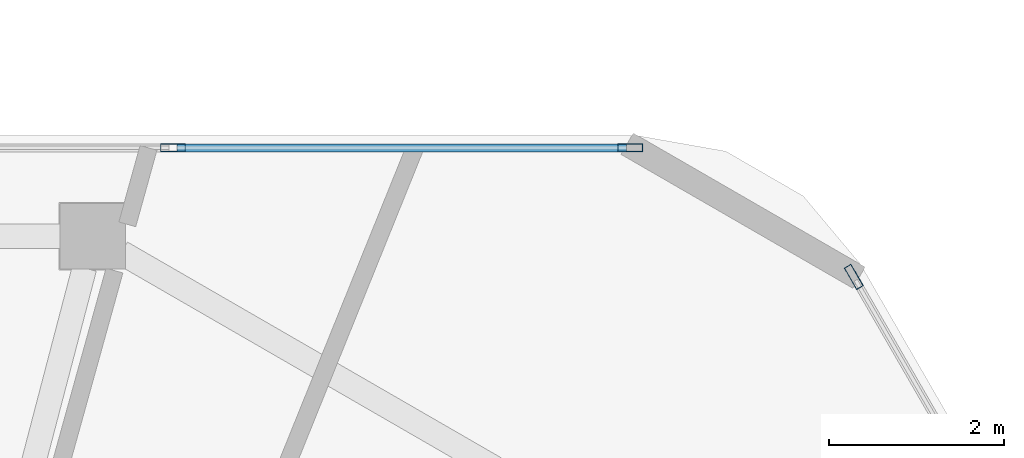
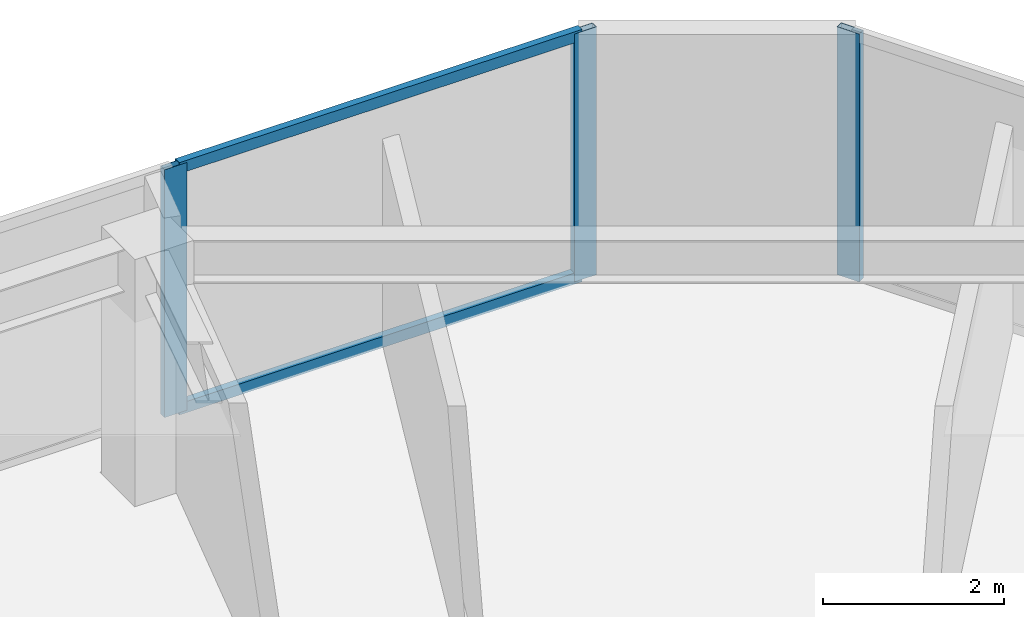
# One storey, part 14 of 22: 5 members, 2 elements without a shape of their own.
"""IFC4 building model written with IfcOpenShell, lengths in metres."""

from ifc_helpers import new_model, si_unit, direction, frame, origin, origin_2d, place, context, subcontext, project, spatial, hollow_rectangle, extrude, material, material_profile, profile_set, type_object, element, aggregate, save


model = new_model("IFC4")

# Units and contexts
model_context = context("Model", 3, precision=1e-05, world=origin(), true_north=direction((0.0, 1.0)))
body_context = subcontext(model_context, "Body", "Model", "MODEL_VIEW")
ifc_project = project(units=[si_unit("LENGTHUNIT", "METRE"), si_unit("AREAUNIT", "SQUARE_METRE"), si_unit("VOLUMEUNIT", "CUBIC_METRE"), si_unit("PLANEANGLEUNIT", "RADIAN"), si_unit("MASSUNIT", "GRAM", prefix="KILO")], contexts=[model_context])

# Site, building, storey
site_placement = place(None, origin())
site = spatial("IfcSite", under=ifc_project, at=site_placement, CompositionType="ELEMENT")
building_placement = place(site_placement, origin())
building = spatial("IfcBuilding", under=site, at=building_placement, Name="Zuhravey Tower", CompositionType="ELEMENT")
storey_placement = place(building_placement, frame((0.0, 0.0, 357.60009765625)))
storey = spatial("IfcBuildingStorey", under=building, at=storey_placement, Name="L91", CompositionType="ELEMENT", Elevation=357.60009765625)

# Curtain wall, members
ifc_material_1 = material(Name="Thermally broken anodised aluminium", Category="aluminium")
curtain_wall_type = type_object("IfcCurtainWallType", Name="Zone 3-4 High-Rise Curtain Wall CW4", PredefinedType="NOTDEFINED", material=ifc_material_1)
curtain_wall_1_placement = place(storey_placement, origin())
curtain_wall_1 = element("IfcCurtainWall", 1, at=curtain_wall_1_placement, inside=storey, type_object=curtain_wall_type, Name="L91 CW4 CW-L91-F2-2", PredefinedType="NOTDEFINED")
ifc_material_2 = material(Name="Anodised aluminium", Category="aluminium")
ifc_material_profile_1 = material_profile(ifc_material_2, hollow_rectangle(XDim=0.090087890625, YDim=0.284912109375, WallThickness=0.0048828125, at=origin_2d()), Name="ALU-RHS-90x285x5")
ifc_profile_set_1 = profile_set([ifc_material_profile_1], Name="Anodised aluminium")
member_type_1 = type_object("IfcMemberType", Name="Curtain-Wall Mullion 90x180", PredefinedType="MULLION", material=ifc_profile_set_1)
member_1_placement = place(storey_placement, frame((42.95703125, 56.07421875, 0.0), z_axis=(0.0, 0.0, 1.0), x_axis=(0.0, 1.0, 0.0)))
member_1 = element("IfcMember", 2, at=member_1_placement, type_object=member_type_1, Name="CW4 mullion 2", PredefinedType="MULLION", context=body_context, shape_type="SweptSolid", body=[
    extrude(hollow_rectangle(XDim=0.090087890625, YDim=0.284912109375, WallThickness=0.0048828125, at=origin_2d()), origin(), (0.0, 0.0, 1.0), 3.349853515625),
])
member_2_placement = place(storey_placement, frame((48.1943359375, 56.07421875, 0.0), z_axis=(0.0, 0.0, 1.0), x_axis=(0.0, 1.0, 0.0)))
member_2 = element("IfcMember", 3, at=member_2_placement, type_object=member_type_1, Name="CW4 mullion 3", PredefinedType="MULLION", context=body_context, shape_type="SweptSolid", body=[
    extrude(hollow_rectangle(XDim=0.090087890625, YDim=0.284912109375, WallThickness=0.0048828125, at=origin_2d()), origin(), (0.0, 0.0, 1.0), 3.349853515625),
])

# Curtain wall, member
curtain_wall_2_placement = place(storey_placement, origin())
curtain_wall_2 = element("IfcCurtainWall", 4, at=curtain_wall_2_placement, inside=storey, type_object=curtain_wall_type, Name="L91 CW4 CW-L91-F1-1", PredefinedType="NOTDEFINED")
member_3_placement = place(storey_placement, frame((50.751708984375, 54.59765625, 0.0), z_axis=(0.0, 0.0, 1.0), x_axis=(0.866025511541, 0.49999981336, 0.0)))
member_3 = element("IfcMember", 5, at=member_3_placement, type_object=member_type_1, Name="CW4 mullion 1", PredefinedType="MULLION", context=body_context, shape_type="SweptSolid", body=[
    extrude(hollow_rectangle(XDim=0.090087890625, YDim=0.284912109375, WallThickness=0.0048828125, at=origin_2d()), origin(), (0.0, 0.0, 1.0), 3.349853515625),
])
aggregate(curtain_wall_2, [member_3])

# Member
ifc_material_profile_2 = material_profile(ifc_material_2, hollow_rectangle(XDim=0.090087890625, YDim=0.14990234375, WallThickness=0.0048828125, at=origin_2d()), Name="ALU-RHS-90x150x5")
ifc_profile_set_2 = profile_set([ifc_material_profile_2], Name="Anodised aluminium")
member_type_2 = type_object("IfcMemberType", Name="Curtain-Wall Transom 90x150", PredefinedType="USERDEFINED", material=ifc_profile_set_2)
member_4_placement = place(storey_placement, frame((43.002197265625, 56.07421875, 0.044921875), z_axis=(1.0, 0.0, 0.0), x_axis=(0.0, 1.0, 0.0)))
member_4 = element("IfcMember", 6, at=member_4_placement, type_object=member_type_2, Name="CW4 transom 2.1", ObjectType="TRANSOM", PredefinedType="USERDEFINED", context=body_context, shape_type="SweptSolid", body=[
    extrude(hollow_rectangle(XDim=0.090087890625, YDim=0.14990234375, WallThickness=0.0048828125, at=origin_2d()), origin(), (0.0, 0.0, 1.0), 5.147216796875),
])

member_5_placement = place(storey_placement, frame((43.002197265625, 56.07421875, 3.304931640625), z_axis=(1.0, 0.0, 0.0), x_axis=(0.0, 1.0, 0.0)))
member_5 = element("IfcMember", 7, at=member_5_placement, type_object=member_type_2, Name="CW4 transom 2.2", ObjectType="TRANSOM", PredefinedType="USERDEFINED", context=body_context, shape_type="SweptSolid", body=[
    extrude(hollow_rectangle(XDim=0.090087890625, YDim=0.14990234375, WallThickness=0.0048828125, at=origin_2d()), origin(), (0.0, 0.0, 1.0), 5.147216796875),
])

aggregate(curtain_wall_1, [member_1, member_2, member_4, member_5])

save(model, "model.ifc")
